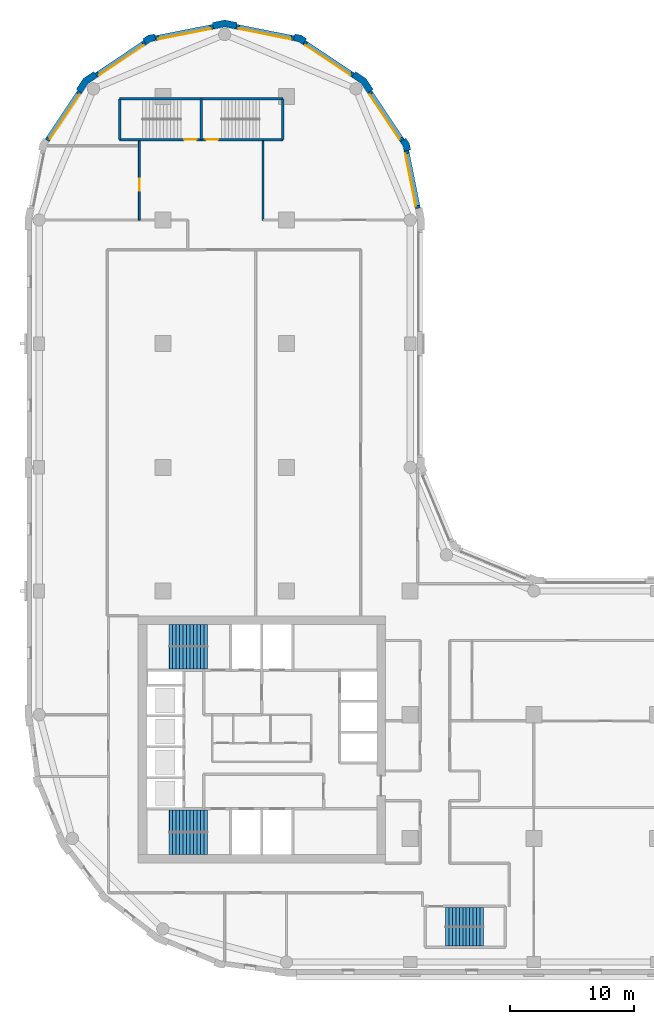
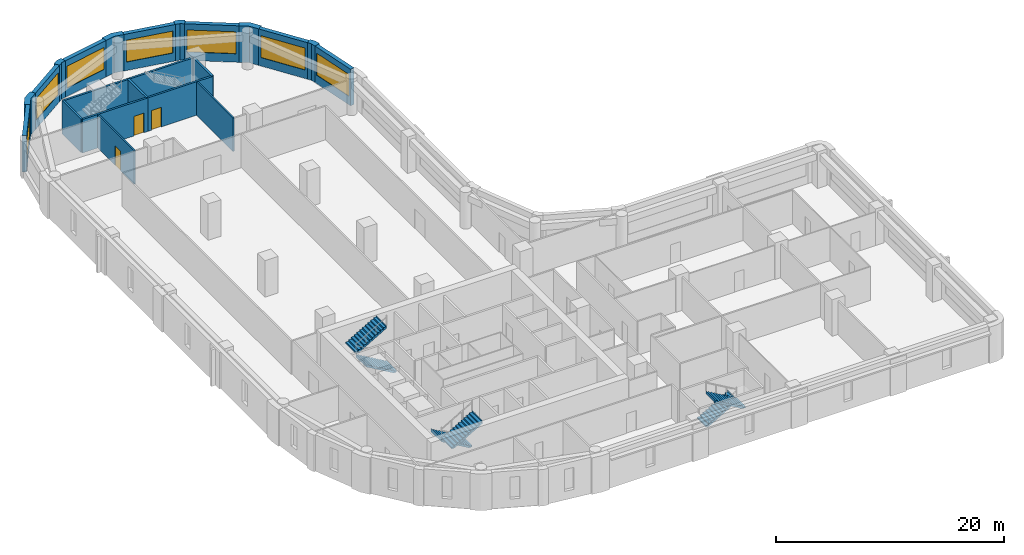
# One storey, part 6 of 9: 22 walls, 7 windows, 6 stair flights, 3 doors, 10 openings, 3 elements without a shape of their own.
"""IFC4 building model written with IfcOpenShell, lengths in metres."""

from ifc_helpers import new_model, si_unit, direction, frame, frame_2d, origin, place, context, subcontext, project, spatial, polyline, rectangle, outline, extrude, material, layer, layer_set, type_object, element, fill, aggregate, save


model = new_model("IFC4")

# Units and contexts
model_context = context("Model", 3, precision=1e-05, world=origin(), true_north=direction((0.0, 1.0)))
body_context = subcontext(model_context, "Body", "Model", "MODEL_VIEW")
ifc_project = project(units=[si_unit("LENGTHUNIT", "METRE"), si_unit("AREAUNIT", "SQUARE_METRE"), si_unit("VOLUMEUNIT", "CUBIC_METRE"), si_unit("PLANEANGLEUNIT", "RADIAN"), si_unit("MASSUNIT", "GRAM", prefix="KILO")], contexts=[model_context])

# Site, building, storey
site_placement = place(None, origin())
site = spatial("IfcSite", under=ifc_project, at=site_placement, CompositionType="ELEMENT")
building_placement = place(site_placement, origin())
building = spatial("IfcBuilding", under=site, at=building_placement, Name="Qaws Garden Tower", CompositionType="ELEMENT")
storey_placement = place(building_placement, frame((0.0, 0.0, 229.199951171875)))
storey = spatial("IfcBuildingStorey", under=building, at=storey_placement, Name="L56", CompositionType="ELEMENT", Elevation=229.199951171875)

# Wall, opening, window
ifc_material_1 = material(Name="Clay facing brick masonry", Category="masonry")
ifc_layer_1 = layer(ifc_material_1, 0.39990234375)
ifc_layer_set_1 = layer_set([ifc_layer_1], Name="Clay facing brick masonry")
wall_type_1 = type_object("IfcWallType", Name="Brick infill wall 400", PredefinedType="SOLIDWALL", material=ifc_layer_set_1)
wall_1_placement = place(storey_placement, frame((30.628662109375, 60.940673828125, 0.0), z_axis=(0.0, 0.0, 1.0), x_axis=(-0.195098533057, 0.98078364709, 0.0)))
wall_1 = element("IfcWall", 1, at=wall_1_placement, inside=storey, type_object=wall_type_1, Name="E-L56-infill-13", PredefinedType="SOLIDWALL", context=body_context, shape_type="SweptSolid", body=[
    extrude(rectangle(XDim=4.752685546875, YDim=0.39990234375, at=frame_2d((2.37646484375, 0.0))), origin(), (0.0, 0.0, 1.0), 3.900146484375),
])
opening_1_placement = place(wall_1_placement, frame((0.226318359375, 0.0, 0.89990234375)))
opening_1 = element("IfcOpeningElement", 2, at=opening_1_placement, cuts=wall_1, Name="Opening W06", PredefinedType="OPENING", context=body_context, shape_type="SweptSolid", body=[
    extrude(rectangle(XDim=4.300048828125, YDim=2.35009765625, at=frame_2d((2.14990234375, 1.175048828125))), frame((0.0, 0.2099609375, 0.0), z_axis=(0.0, -1.0, 0.0), x_axis=(1.0, 0.0, 0.0)), (0.0, 0.0, 1.0), 0.419921875),
])
ifc_material_2 = material(Name="Aluminium framed window, clear glazing", Category="aluminium")
window_type = type_object("IfcWindowType", Name="Ribbon window 4300 x 2350", PartitioningType="DOUBLE_PANEL_VERTICAL", PredefinedType="WINDOW", material=ifc_material_2)
window_1_placement = place(opening_1_placement, origin())
window_1 = element("IfcWindow", 3, at=window_1_placement, inside=storey, type_object=window_type, Name="E-L56-window-13-0", OverallHeight=2.35009765625, OverallWidth=4.300048828125, PartitioningType="SINGLE_PANEL", PredefinedType="WINDOW", context=body_context, shape_type="SweptSolid", body=[
    extrude(rectangle(XDim=4.300048828125, YDim=2.35009765625, at=frame_2d((2.14990234375, 1.175048828125))), frame((0.0, 0.159912109375, 0.0), z_axis=(0.0, -1.0, 0.0), x_axis=(1.0, 0.0, 0.0)), (0.0, 0.0, 1.0), 0.06005859375),
])
fill(opening_1, window_1)

wall_2_placement = place(storey_placement, frame((29.356689453125, 66.43408203125, 0.0), z_axis=(0.0, 0.0, 1.0), x_axis=(-0.555541552266, 0.831488775454, 0.0)))
wall_2 = element("IfcWall", 4, at=wall_2_placement, inside=storey, type_object=wall_type_1, Name="E-L56-infill-14", PredefinedType="SOLIDWALL", context=body_context, shape_type="SweptSolid", body=[
    extrude(rectangle(XDim=4.752685546875, YDim=0.39990234375, at=frame_2d((2.37646484375, 0.0))), origin(), (0.0, 0.0, 1.0), 3.900146484375),
])
opening_2_placement = place(wall_2_placement, frame((0.226318359375, 0.0, 0.89990234375)))
opening_2 = element("IfcOpeningElement", 5, at=opening_2_placement, cuts=wall_2, Name="Opening W06", PredefinedType="OPENING", context=body_context, shape_type="SweptSolid", body=[
    extrude(rectangle(XDim=4.300048828125, YDim=2.35009765625, at=frame_2d((2.14990234375, 1.175048828125))), frame((0.0, 0.2099609375, 0.0), z_axis=(0.0, -1.0, 0.0), x_axis=(1.0, 0.0, 0.0)), (0.0, 0.0, 1.0), 0.419921875),
])
window_2_placement = place(opening_2_placement, origin())
window_2 = element("IfcWindow", 6, at=window_2_placement, inside=storey, type_object=window_type, Name="E-L56-window-14-0", OverallHeight=2.35009765625, OverallWidth=4.300048828125, PartitioningType="SINGLE_PANEL", PredefinedType="WINDOW", context=body_context, shape_type="SweptSolid", body=[
    extrude(rectangle(XDim=4.300048828125, YDim=2.35009765625, at=frame_2d((2.14990234375, 1.175048828125))), frame((0.0, 0.159912109375, 0.0), z_axis=(0.0, -1.0, 0.0), x_axis=(1.0, 0.0, 0.0)), (0.0, 0.0, 1.0), 0.06005859375),
])
fill(opening_2, window_2)

wall_3_placement = place(storey_placement, frame((25.385986328125, 71.71630859375, 0.0), z_axis=(0.0, 0.0, 1.0), x_axis=(-0.831488775454, 0.555541552266, 0.0)))
wall_3 = element("IfcWall", 7, at=wall_3_placement, inside=storey, type_object=wall_type_1, Name="E-L56-infill-15", PredefinedType="SOLIDWALL", context=body_context, shape_type="SweptSolid", body=[
    extrude(rectangle(XDim=4.752685546875, YDim=0.39990234375, at=frame_2d((2.37646484375, 0.0))), origin(), (0.0, 0.0, 1.0), 3.900146484375),
])
opening_3_placement = place(wall_3_placement, frame((0.226318359375, 0.0, 0.89990234375)))
opening_3 = element("IfcOpeningElement", 8, at=opening_3_placement, cuts=wall_3, Name="Opening W06", PredefinedType="OPENING", context=body_context, shape_type="SweptSolid", body=[
    extrude(rectangle(XDim=4.300048828125, YDim=2.35009765625, at=frame_2d((2.14990234375, 1.175048828125))), frame((0.0, 0.2099609375, 0.0), z_axis=(0.0, -1.0, 0.0), x_axis=(1.0, 0.0, 0.0)), (0.0, 0.0, 1.0), 0.419921875),
])
window_3_placement = place(opening_3_placement, origin())
window_3 = element("IfcWindow", 9, at=window_3_placement, inside=storey, type_object=window_type, Name="E-L56-window-15-0", OverallHeight=2.35009765625, OverallWidth=4.300048828125, PartitioningType="SINGLE_PANEL", PredefinedType="WINDOW", context=body_context, shape_type="SweptSolid", body=[
    extrude(rectangle(XDim=4.300048828125, YDim=2.35009765625, at=frame_2d((2.14990234375, 1.175048828125))), frame((0.0, 0.159912109375, 0.0), z_axis=(0.0, -1.0, 0.0), x_axis=(1.0, 0.0, 0.0)), (0.0, 0.0, 1.0), 0.06005859375),
])
fill(opening_3, window_3)

wall_4_placement = place(storey_placement, frame((20.60205078125, 74.701416015625, 0.0), z_axis=(0.0, 0.0, 1.0), x_axis=(-0.98078364709, 0.195098533057, 0.0)))
wall_4 = element("IfcWall", 10, at=wall_4_placement, inside=storey, type_object=wall_type_1, Name="E-L56-infill-16", PredefinedType="SOLIDWALL", context=body_context, shape_type="SweptSolid", body=[
    extrude(rectangle(XDim=4.752685546875, YDim=0.39990234375, at=frame_2d((2.37646484375, 0.0))), origin(), (0.0, 0.0, 1.0), 3.900146484375),
])
opening_4_placement = place(wall_4_placement, frame((0.226318359375, 0.0, 0.89990234375)))
opening_4 = element("IfcOpeningElement", 11, at=opening_4_placement, cuts=wall_4, Name="Opening W06", PredefinedType="OPENING", context=body_context, shape_type="SweptSolid", body=[
    extrude(rectangle(XDim=4.300048828125, YDim=2.35009765625, at=frame_2d((2.14990234375, 1.175048828125))), frame((0.0, 0.2099609375, 0.0), z_axis=(0.0, -1.0, 0.0), x_axis=(1.0, 0.0, 0.0)), (0.0, 0.0, 1.0), 0.419921875),
])
window_4_placement = place(opening_4_placement, origin())
window_4 = element("IfcWindow", 12, at=window_4_placement, inside=storey, type_object=window_type, Name="E-L56-window-16-0", OverallHeight=2.35009765625, OverallWidth=4.300048828125, PartitioningType="SINGLE_PANEL", PredefinedType="WINDOW", context=body_context, shape_type="SweptSolid", body=[
    extrude(rectangle(XDim=4.300048828125, YDim=2.35009765625, at=frame_2d((2.14990234375, 1.175048828125))), frame((0.0, 0.159912109375, 0.0), z_axis=(0.0, -1.0, 0.0), x_axis=(1.0, 0.0, 0.0)), (0.0, 0.0, 1.0), 0.06005859375),
])
fill(opening_4, window_4)

wall_5_placement = place(storey_placement, frame((14.059326171875, 75.628662109375, 0.0), z_axis=(0.0, 0.0, 1.0), x_axis=(-0.98078364709, -0.195098533057, 0.0)))
wall_5 = element("IfcWall", 13, at=wall_5_placement, inside=storey, type_object=wall_type_1, Name="E-L56-infill-17", PredefinedType="SOLIDWALL", context=body_context, shape_type="SweptSolid", body=[
    extrude(rectangle(XDim=4.752685546875, YDim=0.39990234375, at=frame_2d((2.37646484375, 0.0))), origin(), (0.0, 0.0, 1.0), 3.900146484375),
])
opening_5_placement = place(wall_5_placement, frame((0.226318359375, 0.0, 0.89990234375)))
opening_5 = element("IfcOpeningElement", 14, at=opening_5_placement, cuts=wall_5, Name="Opening W06", PredefinedType="OPENING", context=body_context, shape_type="SweptSolid", body=[
    extrude(rectangle(XDim=4.300048828125, YDim=2.35009765625, at=frame_2d((2.14990234375, 1.175048828125))), frame((0.0, 0.2099609375, 0.0), z_axis=(0.0, -1.0, 0.0), x_axis=(1.0, 0.0, 0.0)), (0.0, 0.0, 1.0), 0.419921875),
])
window_5_placement = place(opening_5_placement, origin())
window_5 = element("IfcWindow", 15, at=window_5_placement, inside=storey, type_object=window_type, Name="E-L56-window-17-0", OverallHeight=2.35009765625, OverallWidth=4.300048828125, PartitioningType="SINGLE_PANEL", PredefinedType="WINDOW", context=body_context, shape_type="SweptSolid", body=[
    extrude(rectangle(XDim=4.300048828125, YDim=2.35009765625, at=frame_2d((2.14990234375, 1.175048828125))), frame((0.0, 0.159912109375, 0.0), z_axis=(0.0, -1.0, 0.0), x_axis=(1.0, 0.0, 0.0)), (0.0, 0.0, 1.0), 0.06005859375),
])
fill(opening_5, window_5)

wall_6_placement = place(storey_placement, frame((8.56591796875, 74.356689453125, 0.0), z_axis=(0.0, 0.0, 1.0), x_axis=(-0.831488775454, -0.555541552266, 0.0)))
wall_6 = element("IfcWall", 16, at=wall_6_placement, inside=storey, type_object=wall_type_1, Name="E-L56-infill-18", PredefinedType="SOLIDWALL", context=body_context, shape_type="SweptSolid", body=[
    extrude(rectangle(XDim=4.752685546875, YDim=0.39990234375, at=frame_2d((2.37646484375, 0.0))), origin(), (0.0, 0.0, 1.0), 3.900146484375),
])
opening_6_placement = place(wall_6_placement, frame((0.226318359375, 0.0, 0.89990234375)))
opening_6 = element("IfcOpeningElement", 17, at=opening_6_placement, cuts=wall_6, Name="Opening W06", PredefinedType="OPENING", context=body_context, shape_type="SweptSolid", body=[
    extrude(rectangle(XDim=4.300048828125, YDim=2.35009765625, at=frame_2d((2.14990234375, 1.175048828125))), frame((0.0, 0.2099609375, 0.0), z_axis=(0.0, -1.0, 0.0), x_axis=(1.0, 0.0, 0.0)), (0.0, 0.0, 1.0), 0.419921875),
])
window_6_placement = place(opening_6_placement, origin())
window_6 = element("IfcWindow", 18, at=window_6_placement, inside=storey, type_object=window_type, Name="E-L56-window-18-0", OverallHeight=2.35009765625, OverallWidth=4.300048828125, PartitioningType="SINGLE_PANEL", PredefinedType="WINDOW", context=body_context, shape_type="SweptSolid", body=[
    extrude(rectangle(XDim=4.300048828125, YDim=2.35009765625, at=frame_2d((2.14990234375, 1.175048828125))), frame((0.0, 0.159912109375, 0.0), z_axis=(0.0, -1.0, 0.0), x_axis=(1.0, 0.0, 0.0)), (0.0, 0.0, 1.0), 0.06005859375),
])
fill(opening_6, window_6)

wall_7_placement = place(storey_placement, frame((3.28369140625, 70.385986328125, 0.0), z_axis=(0.0, 0.0, 1.0), x_axis=(-0.555541552266, -0.831488775454, 0.0)))
wall_7 = element("IfcWall", 19, at=wall_7_placement, inside=storey, type_object=wall_type_1, Name="E-L56-infill-19", PredefinedType="SOLIDWALL", context=body_context, shape_type="SweptSolid", body=[
    extrude(rectangle(XDim=4.752685546875, YDim=0.39990234375, at=frame_2d((2.37646484375, 0.0))), origin(), (0.0, 0.0, 1.0), 3.900146484375),
])
opening_7_placement = place(wall_7_placement, frame((0.226318359375, 0.0, 0.89990234375)))
opening_7 = element("IfcOpeningElement", 20, at=opening_7_placement, cuts=wall_7, Name="Opening W06", PredefinedType="OPENING", context=body_context, shape_type="SweptSolid", body=[
    extrude(rectangle(XDim=4.300048828125, YDim=2.35009765625, at=frame_2d((2.14990234375, 1.175048828125))), frame((0.0, 0.2099609375, 0.0), z_axis=(0.0, -1.0, 0.0), x_axis=(1.0, 0.0, 0.0)), (0.0, 0.0, 1.0), 0.419921875),
])
window_7_placement = place(opening_7_placement, origin())
window_7 = element("IfcWindow", 21, at=window_7_placement, inside=storey, type_object=window_type, Name="E-L56-window-19-0", OverallHeight=2.35009765625, OverallWidth=4.300048828125, PartitioningType="SINGLE_PANEL", PredefinedType="WINDOW", context=body_context, shape_type="SweptSolid", body=[
    extrude(rectangle(XDim=4.300048828125, YDim=2.35009765625, at=frame_2d((2.14990234375, 1.175048828125))), frame((0.0, 0.159912109375, 0.0), z_axis=(0.0, -1.0, 0.0), x_axis=(1.0, 0.0, 0.0)), (0.0, 0.0, 1.0), 0.06005859375),
])
fill(opening_7, window_7)

# Walls
ifc_material_3 = material(Name="Clay facing brick masonry", Category="masonry")
ifc_layer_2 = layer(ifc_material_3, 0.550048828125)
ifc_layer_set_2 = layer_set([ifc_layer_2], Name="Clay facing brick masonry")
wall_type_2 = type_object("IfcWallType", Name="Brick kink pier 550 x 600", PredefinedType="SOLIDWALL", material=ifc_layer_set_2)
placement = place(storey_placement, origin())
element("IfcWall", 22, at=placement, inside=storey, type_object=wall_type_2, Name="E-L56-pier-14", PredefinedType="SOLIDWALL", context=body_context, shape_type="SweptSolid", body=[
    extrude(outline(polyline([(29.8974609375, 65.64111328125), (30.044677734375, 65.67041015625), (29.94140625, 66.18896484375), (29.647705078125, 66.628662109375), (29.52294921875, 66.545166015625), (29.1904296875, 66.322998046875), (29.42333984375, 65.974365234375), (29.505126953125, 65.56298828125), (29.8974609375, 65.64111328125)])), origin(), (0.0, 0.0, 1.0), 3.900146484375),
])
element("IfcWall", 23, at=placement, inside=storey, type_object=wall_type_2, Name="E-L56-pier-16", PredefinedType="SOLIDWALL", context=body_context, shape_type="SweptSolid", body=[
    extrude(outline(polyline([(21.545166015625, 74.52294921875), (21.628662109375, 74.647705078125), (21.18896484375, 74.94140625), (20.67041015625, 75.044677734375), (20.64111328125, 74.8974609375), (20.56298828125, 74.505126953125), (20.974365234375, 74.42333984375), (21.322998046875, 74.1904296875), (21.545166015625, 74.52294921875)])), origin(), (0.0, 0.0, 1.0), 3.900146484375),
])
element("IfcWall", 24, at=placement, inside=storey, type_object=wall_type_2, Name="E-L56-pier-18", PredefinedType="SOLIDWALL", context=body_context, shape_type="SweptSolid", body=[
    extrude(outline(polyline([(9.35888671875, 74.8974609375), (9.32958984375, 75.044677734375), (8.81103515625, 74.94140625), (8.371337890625, 74.647705078125), (8.454833984375, 74.52294921875), (8.677001953125, 74.1904296875), (9.025634765625, 74.42333984375), (9.43701171875, 74.505126953125), (9.35888671875, 74.8974609375)])), origin(), (0.0, 0.0, 1.0), 3.900146484375),
])
ifc_material_4 = material(Name="Clay facing brick masonry", Category="masonry")
ifc_layer_3 = layer(ifc_material_4, 0.550048828125)
ifc_layer_set_3 = layer_set([ifc_layer_3], Name="Clay facing brick masonry")
wall_type_3 = type_object("IfcWallType", Name="Brick pier 550 x 1600", PredefinedType="SOLIDWALL", material=ifc_layer_set_3)
element("IfcWall", 25, at=placement, inside=storey, type_object=wall_type_3, Name="E-L56-pier-15", PredefinedType="SOLIDWALL", context=body_context, shape_type="SweptSolid", body=[
    extrude(outline(polyline([(26.882568359375, 70.4970703125), (27.00732421875, 70.580322265625), (26.435791015625, 71.435791015625), (25.580322265625, 72.00732421875), (25.4970703125, 71.882568359375), (25.274658203125, 71.550048828125), (26.0390625, 71.0390625), (26.550048828125, 70.274658203125), (26.882568359375, 70.4970703125)])), origin(), (0.0, 0.0, 1.0), 3.900146484375),
])
element("IfcWall", 26, at=placement, inside=storey, type_object=wall_type_3, Name="E-L56-pier-17", PredefinedType="SOLIDWALL", context=body_context, shape_type="SweptSolid", body=[
    extrude(outline(polyline([(15.979736328125, 75.82470703125), (16.009033203125, 75.971923828125), (15.0, 76.172607421875), (13.990966796875, 75.971923828125), (14.020263671875, 75.82470703125), (14.098388671875, 75.432373046875), (15.0, 75.61181640625), (15.901611328125, 75.432373046875), (15.979736328125, 75.82470703125)])), origin(), (0.0, 0.0, 1.0), 3.900146484375),
])
element("IfcWall", 27, at=placement, inside=storey, type_object=wall_type_3, Name="E-L56-pier-19", PredefinedType="SOLIDWALL", context=body_context, shape_type="SweptSolid", body=[
    extrude(outline(polyline([(4.5029296875, 71.882568359375), (4.419677734375, 72.00732421875), (3.564208984375, 71.435791015625), (2.99267578125, 70.580322265625), (3.117431640625, 70.4970703125), (3.449951171875, 70.274658203125), (3.9609375, 71.0390625), (4.725341796875, 71.550048828125), (4.5029296875, 71.882568359375)])), origin(), (0.0, 0.0, 1.0), 3.900146484375),
])

# Wall, opening, door
ifc_material_5 = material(Name="Concrete C70", Category="concrete")
ifc_layer_4 = layer(ifc_material_5, 0.199951171875)
ifc_layer_set_4 = layer_set([ifc_layer_4], Name="Concrete C70")
wall_type_4 = type_object("IfcWallType", Name="Core shaft wall 200 C70", PredefinedType="SHEAR", material=ifc_layer_set_4)
wall_14_placement = place(storey_placement, frame((6.5, 66.5, 0.0), z_axis=(0.0, 0.0, 1.0), x_axis=(1.0, 0.0, 0.0)))
wall_14 = element("IfcWall", 28, at=wall_14_placement, inside=storey, type_object=wall_type_4, Name="Shaft wall", PredefinedType="SHEAR", context=body_context, shape_type="SweptSolid", body=[
    extrude(rectangle(XDim=6.60009765625, YDim=0.199951171875, at=frame_2d((3.300048828125, 0.0))), origin(), (0.0, 0.0, 1.0), 3.580078125),
])
opening_8_placement = place(wall_14_placement, frame((5.22509765625, 0.0, 0.0)))
opening_8 = element("IfcOpeningElement", 29, at=opening_8_placement, cuts=wall_14, Name="Opening SD13", PredefinedType="OPENING", context=body_context, shape_type="SweptSolid", body=[
    extrude(rectangle(XDim=1.0, YDim=2.10009765625, at=frame_2d((0.5, 1.050048828125))), frame((0.0, 0.10986328125, 0.0), z_axis=(0.0, -1.0, 0.0), x_axis=(1.0, 0.0, 0.0)), (0.0, 0.0, 1.0), 0.219970703125),
])
ifc_material_6 = material(Name="Steel S235", Category="steel")
door_type_1 = type_object("IfcDoorType", Name="Stair door 1000x2100", OperationType="SINGLE_SWING_RIGHT", PredefinedType="DOOR", material=ifc_material_6)
door_1_placement = place(opening_8_placement, origin())
door_1 = element("IfcDoor", 30, at=door_1_placement, inside=storey, type_object=door_type_1, Name="Stair 6 door", OperationType="SINGLE_SWING_RIGHT", OverallHeight=2.10009765625, OverallWidth=1.0, PredefinedType="DOOR", context=body_context, shape_type="SweptSolid", body=[
    extrude(rectangle(XDim=1.0, YDim=2.10009765625, at=frame_2d((0.5, 1.050048828125))), frame((0.0, 0.02490234375, 0.0), z_axis=(0.0, -1.0, 0.0), x_axis=(1.0, 0.0, 0.0)), (0.0, 0.0, 1.0), 0.050048828125),
])
fill(opening_8, door_1)

wall_15_placement = place(storey_placement, frame((13.10009765625, 66.5, 0.0), z_axis=(0.0, 0.0, 1.0), x_axis=(1.0, 0.0, 0.0)))
wall_15 = element("IfcWall", 31, at=wall_15_placement, inside=storey, type_object=wall_type_4, Name="Shaft wall", PredefinedType="SHEAR", context=body_context, shape_type="SweptSolid", body=[
    extrude(rectangle(XDim=6.599853515625, YDim=0.199951171875, at=frame_2d((3.2998046875, 0.0))), origin(), (0.0, 0.0, 1.0), 3.580078125),
])
opening_9_placement = place(wall_15_placement, frame((0.375, 0.0, 0.0)))
opening_9 = element("IfcOpeningElement", 32, at=opening_9_placement, cuts=wall_15, Name="Opening SD14", PredefinedType="OPENING", context=body_context, shape_type="SweptSolid", body=[
    extrude(rectangle(XDim=1.0, YDim=2.10009765625, at=frame_2d((0.5, 1.050048828125))), frame((0.0, 0.10986328125, 0.0), z_axis=(0.0, -1.0, 0.0), x_axis=(1.0, 0.0, 0.0)), (0.0, 0.0, 1.0), 0.219970703125),
])
door_2_placement = place(opening_9_placement, origin())
door_2 = element("IfcDoor", 33, at=door_2_placement, inside=storey, type_object=door_type_1, Name="Stair 7 door", OperationType="SINGLE_SWING_LEFT", OverallHeight=2.10009765625, OverallWidth=1.0, PredefinedType="DOOR", context=body_context, shape_type="SweptSolid", body=[
    extrude(rectangle(XDim=1.0, YDim=2.10009765625, at=frame_2d((0.5, 1.050048828125))), frame((0.0, 0.02490234375, 0.0), z_axis=(0.0, -1.0, 0.0), x_axis=(1.0, 0.0, 0.0)), (0.0, 0.0, 1.0), 0.050048828125),
])
fill(opening_9, door_2)

# Walls
wall_16_placement = place(storey_placement, frame((6.5, 69.800048828125, 0.0), z_axis=(0.0, 0.0, 1.0), x_axis=(1.0, 0.0, 0.0)))
element("IfcWall", 34, at=wall_16_placement, inside=storey, type_object=wall_type_4, Name="Shaft wall", PredefinedType="SHEAR", context=body_context, shape_type="SweptSolid", body=[
    extrude(rectangle(XDim=6.60009765625, YDim=0.199951171875, at=frame_2d((3.300048828125, 0.0))), origin(), (0.0, 0.0, 1.0), 3.580078125),
])
wall_17_placement = place(storey_placement, frame((13.10009765625, 69.800048828125, 0.0), z_axis=(0.0, 0.0, 1.0), x_axis=(1.0, 0.0, 0.0)))
element("IfcWall", 35, at=wall_17_placement, inside=storey, type_object=wall_type_4, Name="Shaft wall", PredefinedType="SHEAR", context=body_context, shape_type="SweptSolid", body=[
    extrude(rectangle(XDim=6.599853515625, YDim=0.199951171875, at=frame_2d((3.2998046875, 0.0))), origin(), (0.0, 0.0, 1.0), 3.580078125),
])
for number, where, z_axis, x_axis, name in (
    (36, (6.5, 66.5, 0.0), (0.0, 0.0, 1.0), (0.0, 1.0, 0.0), "Shaft wall"),
    (37, (13.10009765625, 66.5, 0.0), (0.0, 0.0, 1.0), (0.0, 1.0, 0.0), "Shaft wall"),
    (38, (19.699951171875, 66.5, 0.0), (0.0, 0.0, 1.0), (0.0, 1.0, 0.0), "Shaft wall"),
):
    element("IfcWall", number, at=place(storey_placement, frame(where, z_axis=z_axis, x_axis=x_axis)), inside=storey, type_object=wall_type_4, Name=name, PredefinedType="SHEAR", context=body_context, shape_type="SweptSolid", body=[
        extrude(rectangle(XDim=3.300048828125, YDim=0.199951171875, at=frame_2d((1.64990234375, 0.0))), origin(), (0.0, 0.0, 1.0), 3.580078125),
    ])

# Wall, opening, door
ifc_material_7 = material(Name="Gypsum board partition")
ifc_layer_5 = layer(ifc_material_7, 0.14990234375)
ifc_layer_set_5 = layer_set([ifc_layer_5], Name="Gypsum board partition")
wall_type_5 = type_object("IfcWallType", Name="PARTITION 150 EI 60", PredefinedType="PARTITIONING", material=ifc_layer_set_5)
wall_18_placement = place(storey_placement, frame((8.10009765625, 60.0, 0.0), z_axis=(0.0, 0.0, 1.0), x_axis=(0.0, 1.0, 0.0)))
wall_18 = element("IfcWall", 39, at=wall_18_placement, inside=storey, type_object=wall_type_5, Name="O-L56-wall-011", PredefinedType="PARTITIONING", context=body_context, shape_type="SweptSolid", body=[
    extrude(rectangle(XDim=6.39990234375, YDim=0.14990234375, at=frame_2d((3.199951171875, 0.0))), origin(), (0.0, 0.0, 1.0), 3.580078125),
])
opening_10_placement = place(wall_18_placement, frame((2.35009765625, 0.0, 0.0)))
opening_10 = element("IfcOpeningElement", 40, at=opening_10_placement, cuts=wall_18, Name="Opening B908", PredefinedType="OPENING", context=body_context, shape_type="SweptSolid", body=[
    extrude(rectangle(XDim=1.0, YDim=2.10009765625, at=frame_2d((0.5, 1.050048828125))), frame((0.0, 0.0849609375, 0.0), z_axis=(0.0, -1.0, 0.0), x_axis=(1.0, 0.0, 0.0)), (0.0, 0.0, 1.0), 0.169921875),
])
ifc_material_8 = material(Name="Timber door leaf", Category="wood")
door_type_2 = type_object("IfcDoorType", Name="TENANCY ENTRANCE DOOR 1000 X 2100", OperationType="SINGLE_SWING_LEFT", PredefinedType="DOOR", material=ifc_material_8)
door_3_placement = place(opening_10_placement, origin())
door_3 = element("IfcDoor", 41, at=door_3_placement, inside=storey, type_object=door_type_2, Name="O-L56-door-008", OperationType="SINGLE_SWING_LEFT", OverallHeight=2.10009765625, OverallWidth=1.0, PredefinedType="DOOR", context=body_context, shape_type="SweptSolid", body=[
    extrude(rectangle(XDim=1.0, YDim=2.10009765625, at=frame_2d((0.5, 1.050048828125))), frame((0.0, 0.02490234375, 0.0), z_axis=(0.0, -1.0, 0.0), x_axis=(1.0, 0.0, 0.0)), (0.0, 0.0, 1.0), 0.050048828125),
])
fill(opening_10, door_3)

# Wall
wall_19_placement = place(storey_placement, frame((18.10009765625, 60.0, 0.0), z_axis=(0.0, 0.0, 1.0), x_axis=(0.0, 1.0, 0.0)))
element("IfcWall", 42, at=wall_19_placement, inside=storey, type_object=wall_type_5, Name="O-L56-wall-015", PredefinedType="PARTITIONING", context=body_context, shape_type="SweptSolid", body=[
    extrude(rectangle(XDim=6.39990234375, YDim=0.14990234375, at=frame_2d((3.199951171875, 0.0))), origin(), (0.0, 0.0, 1.0), 3.580078125),
])

# Stair, stair flights
ifc_material_9 = material(Name="Concrete C40", Category="concrete")
stair_type_1 = type_object("IfcStairType", Name="Exit stair 1350", PredefinedType="HALF_TURN_STAIR", material=ifc_material_9)
stair_1 = element("IfcStair", 43, at=placement, inside=storey, type_object=stair_type_1, Name="Stair 5", PredefinedType="HALF_TURN_STAIR")
ifc_material_10 = material(Name="Concrete C40", Category="concrete")
stair_flight_type_1 = type_object("IfcStairFlightType", Name="Stair flight 1350", PredefinedType="STRAIGHT", material=ifc_material_10)
stair_flight_1_placement = place(storey_placement, frame((32.85009765625, 3.625, 0.0), z_axis=(0.0, 0.0, 1.0), x_axis=(1.0, 0.0, 0.0)))
stair_flight_1 = element("IfcStairFlight", 44, at=stair_flight_1_placement, type_object=stair_flight_type_1, Name="ST5 flight 1", NumberOfRisers=12, NumberOfTreads=11, PredefinedType="STRAIGHT", RiserHeight=0.1625, TreadLength=0.28, context=body_context, shape_type="SweptSolid", body=[
    extrude(outline(polyline([(-0.0029296875, 0.0), (-0.0029296875, 0.16259765625), (0.0, 0.16259765625), (0.280029296875, 0.16259765625), (0.280029296875, 0.324951171875), (0.56005859375, 0.324951171875), (0.56005859375, 0.487548828125), (0.840087890625, 0.487548828125), (0.840087890625, 0.64990234375), (1.1201171875, 0.64990234375), (1.1201171875, 0.8125), (1.39990234375, 0.8125), (1.39990234375, 0.97509765625), (1.679931640625, 0.97509765625), (1.679931640625, 1.137451171875), (1.9599609375, 1.137451171875), (1.9599609375, 1.300048828125), (2.239990234375, 1.300048828125), (2.239990234375, 1.46240234375), (2.52001953125, 1.46240234375), (2.52001953125, 1.625), (2.800048828125, 1.625), (2.800048828125, 1.78759765625), (3.080078125, 1.78759765625), (3.080078125, 1.949951171875), (3.0830078125, 1.949951171875), (3.0830078125, 1.6142578125), (3.080078125, 1.6142578125), (0.298583984375, 0.0), (-0.0029296875, 0.0)])), frame((0.0, 0.77490234375, 0.0), z_axis=(0.0, -1.0, 0.0), x_axis=(1.0, 0.0, 0.0)), (0.0, 0.0, 1.0), 1.550048828125),
])
stair_flight_2_placement = place(storey_placement, frame((35.929931640625, 2.074951171875, 1.949951171875), z_axis=(0.0, 0.0, 1.0), x_axis=(-1.0, 0.0, 0.0)))
stair_flight_2 = element("IfcStairFlight", 45, at=stair_flight_2_placement, type_object=stair_flight_type_1, Name="ST5 flight 2", NumberOfRisers=12, NumberOfTreads=11, PredefinedType="STRAIGHT", RiserHeight=0.1625, TreadLength=0.28, context=body_context, shape_type="SweptSolid", body=[
    extrude(outline(polyline([(-0.0029296875, 0.0), (-0.0029296875, 0.16259765625), (0.0, 0.16259765625), (0.280029296875, 0.16259765625), (0.280029296875, 0.324951171875), (0.56005859375, 0.324951171875), (0.56005859375, 0.487548828125), (0.840087890625, 0.487548828125), (0.840087890625, 0.64990234375), (1.1201171875, 0.64990234375), (1.1201171875, 0.8125), (1.39990234375, 0.8125), (1.39990234375, 0.97509765625), (1.679931640625, 0.97509765625), (1.679931640625, 1.137451171875), (1.9599609375, 1.137451171875), (1.9599609375, 1.300048828125), (2.239990234375, 1.300048828125), (2.239990234375, 1.46240234375), (2.52001953125, 1.46240234375), (2.52001953125, 1.625), (2.800048828125, 1.625), (2.800048828125, 1.78759765625), (3.080078125, 1.78759765625), (3.080078125, 1.949951171875), (3.0830078125, 1.949951171875), (3.0830078125, 1.6142578125), (3.080078125, 1.6142578125), (0.298583984375, 0.0), (-0.0029296875, 0.0)])), frame((0.0, 0.77490234375, 0.0), z_axis=(0.0, -1.0, 0.0), x_axis=(1.0, 0.0, 0.0)), (0.0, 0.0, 1.0), 1.550048828125),
])
aggregate(stair_1, [stair_flight_1, stair_flight_2])

ifc_material_11 = material(Name="Concrete C40", Category="concrete")
stair_type_2 = type_object("IfcStairType", Name="Exit stair 1500", PredefinedType="HALF_TURN_STAIR", material=ifc_material_11)
stair_2 = element("IfcStair", 46, at=placement, inside=storey, type_object=stair_type_2, Name="Stair 1", PredefinedType="HALF_TURN_STAIR")
ifc_material_12 = material(Name="Concrete C40", Category="concrete")
stair_flight_type_2 = type_object("IfcStairFlightType", Name="Stair flight 1500", PredefinedType="STRAIGHT", material=ifc_material_12)
stair_flight_3_placement = place(storey_placement, frame((13.60009765625, 11.39990234375, 0.0), z_axis=(0.0, 0.0, 1.0), x_axis=(-1.0, 0.0, 0.0)))
stair_flight_3 = element("IfcStairFlight", 47, at=stair_flight_3_placement, type_object=stair_flight_type_2, Name="ST1 flight 1", NumberOfRisers=12, NumberOfTreads=11, PredefinedType="STRAIGHT", RiserHeight=0.1625, TreadLength=0.28, context=body_context, shape_type="SweptSolid", body=[
    extrude(outline(polyline([(-0.0029296875, 0.0), (-0.0029296875, 0.16259765625), (0.0, 0.16259765625), (0.280029296875, 0.16259765625), (0.280029296875, 0.324951171875), (0.56005859375, 0.324951171875), (0.56005859375, 0.487548828125), (0.840087890625, 0.487548828125), (0.840087890625, 0.64990234375), (1.1201171875, 0.64990234375), (1.1201171875, 0.8125), (1.39990234375, 0.8125), (1.39990234375, 0.97509765625), (1.679931640625, 0.97509765625), (1.679931640625, 1.137451171875), (1.9599609375, 1.137451171875), (1.9599609375, 1.300048828125), (2.239990234375, 1.300048828125), (2.239990234375, 1.46240234375), (2.52001953125, 1.46240234375), (2.52001953125, 1.625), (2.800048828125, 1.625), (2.800048828125, 1.78759765625), (3.080078125, 1.78759765625), (3.080078125, 1.949951171875), (3.0830078125, 1.949951171875), (3.0830078125, 1.6142578125), (3.080078125, 1.6142578125), (0.298583984375, 0.0), (-0.0029296875, 0.0)])), frame((0.0, 0.89990234375, 0.0), z_axis=(0.0, -1.0, 0.0), x_axis=(1.0, 0.0, 0.0)), (0.0, 0.0, 1.0), 1.800048828125),
])
stair_flight_4_placement = place(storey_placement, frame((10.52001953125, 9.60009765625, 1.949951171875), z_axis=(0.0, 0.0, 1.0), x_axis=(1.0, 0.0, 0.0)))
stair_flight_4 = element("IfcStairFlight", 48, at=stair_flight_4_placement, type_object=stair_flight_type_2, Name="ST1 flight 2", NumberOfRisers=12, NumberOfTreads=11, PredefinedType="STRAIGHT", RiserHeight=0.1625, TreadLength=0.28, context=body_context, shape_type="SweptSolid", body=[
    extrude(outline(polyline([(-0.0029296875, 0.0), (-0.0029296875, 0.16259765625), (0.0, 0.16259765625), (0.280029296875, 0.16259765625), (0.280029296875, 0.324951171875), (0.56005859375, 0.324951171875), (0.56005859375, 0.487548828125), (0.840087890625, 0.487548828125), (0.840087890625, 0.64990234375), (1.1201171875, 0.64990234375), (1.1201171875, 0.8125), (1.39990234375, 0.8125), (1.39990234375, 0.97509765625), (1.679931640625, 0.97509765625), (1.679931640625, 1.137451171875), (1.9599609375, 1.137451171875), (1.9599609375, 1.300048828125), (2.239990234375, 1.300048828125), (2.239990234375, 1.46240234375), (2.52001953125, 1.46240234375), (2.52001953125, 1.625), (2.800048828125, 1.625), (2.800048828125, 1.78759765625), (3.080078125, 1.78759765625), (3.080078125, 1.949951171875), (3.0830078125, 1.949951171875), (3.0830078125, 1.6142578125), (3.080078125, 1.6142578125), (0.298583984375, 0.0), (-0.0029296875, 0.0)])), frame((0.0, 0.89990234375, 0.0), z_axis=(0.0, -1.0, 0.0), x_axis=(1.0, 0.0, 0.0)), (0.0, 0.0, 1.0), 1.800048828125),
])
aggregate(stair_2, [stair_flight_3, stair_flight_4])

stair_3 = element("IfcStair", 49, at=placement, inside=storey, type_object=stair_type_2, Name="Stair 4", PredefinedType="HALF_TURN_STAIR")
stair_flight_5_placement = place(storey_placement, frame((13.60009765625, 24.60009765625, 0.0), z_axis=(0.0, 0.0, 1.0), x_axis=(-1.0, 0.0, 0.0)))
stair_flight_5 = element("IfcStairFlight", 50, at=stair_flight_5_placement, type_object=stair_flight_type_2, Name="ST4 flight 1", NumberOfRisers=12, NumberOfTreads=11, PredefinedType="STRAIGHT", RiserHeight=0.1625, TreadLength=0.28, context=body_context, shape_type="SweptSolid", body=[
    extrude(outline(polyline([(-0.0029296875, 0.0), (-0.0029296875, 0.16259765625), (0.0, 0.16259765625), (0.280029296875, 0.16259765625), (0.280029296875, 0.324951171875), (0.56005859375, 0.324951171875), (0.56005859375, 0.487548828125), (0.840087890625, 0.487548828125), (0.840087890625, 0.64990234375), (1.1201171875, 0.64990234375), (1.1201171875, 0.8125), (1.39990234375, 0.8125), (1.39990234375, 0.97509765625), (1.679931640625, 0.97509765625), (1.679931640625, 1.137451171875), (1.9599609375, 1.137451171875), (1.9599609375, 1.300048828125), (2.239990234375, 1.300048828125), (2.239990234375, 1.46240234375), (2.52001953125, 1.46240234375), (2.52001953125, 1.625), (2.800048828125, 1.625), (2.800048828125, 1.78759765625), (3.080078125, 1.78759765625), (3.080078125, 1.949951171875), (3.0830078125, 1.949951171875), (3.0830078125, 1.6142578125), (3.080078125, 1.6142578125), (0.298583984375, 0.0), (-0.0029296875, 0.0)])), frame((0.0, 0.89501953125, 0.0), z_axis=(0.0, -1.0, 0.0), x_axis=(1.0, 0.0, 0.0)), (0.0, 0.0, 1.0), 1.7900390625),
])
stair_flight_6_placement = place(storey_placement, frame((10.52001953125, 26.39990234375, 1.949951171875), z_axis=(0.0, 0.0, 1.0), x_axis=(1.0, 0.0, 0.0)))
stair_flight_6 = element("IfcStairFlight", 51, at=stair_flight_6_placement, type_object=stair_flight_type_2, Name="ST4 flight 2", NumberOfRisers=12, NumberOfTreads=11, PredefinedType="STRAIGHT", RiserHeight=0.1625, TreadLength=0.28, context=body_context, shape_type="SweptSolid", body=[
    extrude(outline(polyline([(-0.0029296875, 0.0), (-0.0029296875, 0.16259765625), (0.0, 0.16259765625), (0.280029296875, 0.16259765625), (0.280029296875, 0.324951171875), (0.56005859375, 0.324951171875), (0.56005859375, 0.487548828125), (0.840087890625, 0.487548828125), (0.840087890625, 0.64990234375), (1.1201171875, 0.64990234375), (1.1201171875, 0.8125), (1.39990234375, 0.8125), (1.39990234375, 0.97509765625), (1.679931640625, 0.97509765625), (1.679931640625, 1.137451171875), (1.9599609375, 1.137451171875), (1.9599609375, 1.300048828125), (2.239990234375, 1.300048828125), (2.239990234375, 1.46240234375), (2.52001953125, 1.46240234375), (2.52001953125, 1.625), (2.800048828125, 1.625), (2.800048828125, 1.78759765625), (3.080078125, 1.78759765625), (3.080078125, 1.949951171875), (3.0830078125, 1.949951171875), (3.0830078125, 1.6142578125), (3.080078125, 1.6142578125), (0.298583984375, 0.0), (-0.0029296875, 0.0)])), frame((0.0, 0.89501953125, 0.0), z_axis=(0.0, -1.0, 0.0), x_axis=(1.0, 0.0, 0.0)), (0.0, 0.0, 1.0), 1.7900390625),
])
aggregate(stair_3, [stair_flight_5, stair_flight_6])

save(model, "model.ifc")
